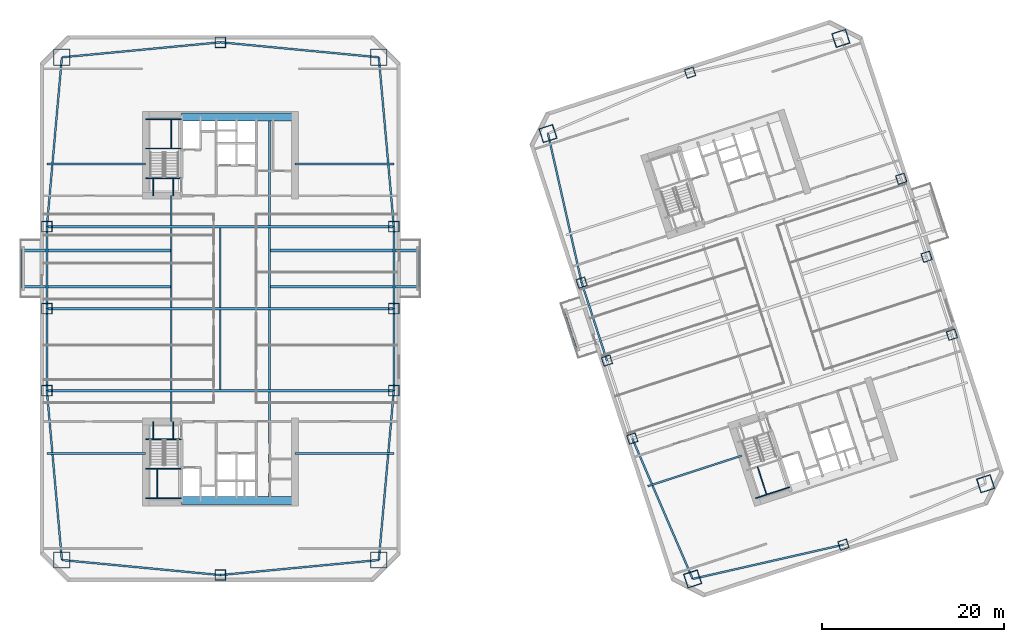
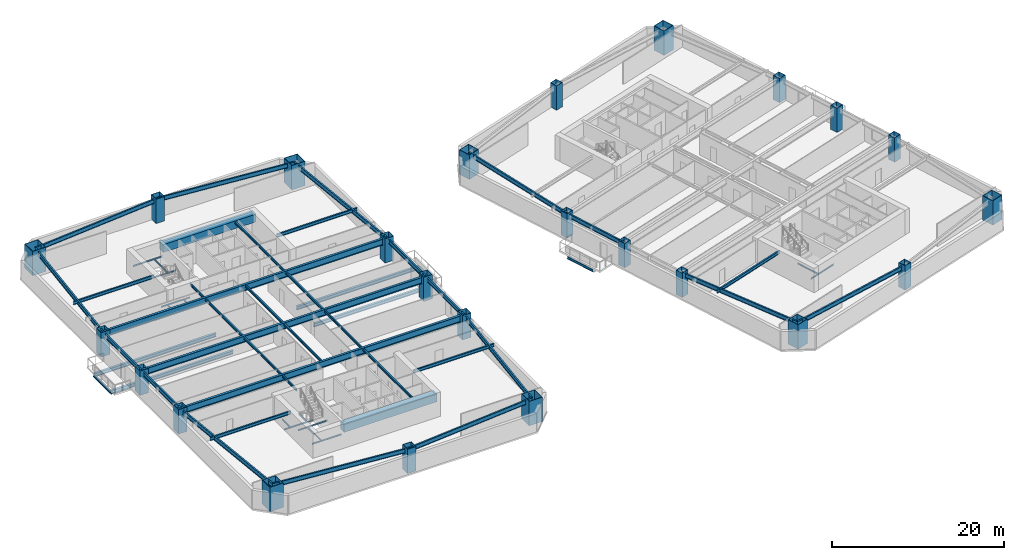
# One storey, part 1 of 15: 57 beams, 24 columns.
"""IFC4 building model written with IfcOpenShell, lengths in metres."""

from ifc_helpers import new_model, si_unit, direction, frame, origin, origin_2d, place, context, subcontext, project, spatial, rectangle, hollow_rectangle, i_section, extrude, material, material_profile, profile_set, type_object, element, save


model = new_model("IFC4")

# Units and contexts
model_context = context("Model", 3, precision=1e-05, world=origin(), true_north=direction((0.0, 1.0)))
body_context = subcontext(model_context, "Body", "Model", "MODEL_VIEW")
ifc_project = project(units=[si_unit("LENGTHUNIT", "METRE"), si_unit("AREAUNIT", "SQUARE_METRE"), si_unit("VOLUMEUNIT", "CUBIC_METRE"), si_unit("PLANEANGLEUNIT", "RADIAN"), si_unit("MASSUNIT", "GRAM", prefix="KILO")], contexts=[model_context])

# Site, building, storey
site_placement = place(None, origin())
site = spatial("IfcSite", under=ifc_project, at=site_placement, CompositionType="ELEMENT")
building_placement = place(site_placement, origin())
building = spatial("IfcBuilding", under=site, at=building_placement, Name="Qiaolan Cultural Towers", CompositionType="ELEMENT")
storey_placement = place(building_placement, frame((0.0, 0.0, 50.60009765625)))
storey = spatial("IfcBuildingStorey", under=building, at=storey_placement, Name="L11", CompositionType="ELEMENT", Elevation=50.60009765625)

# Columns
ifc_material_1 = material(Name="Steel Q355B", Category="steel")
ifc_material_profile_1 = material_profile(ifc_material_1, hollow_rectangle(XDim=1.0, YDim=1.0, WallThickness=0.035888671875, at=origin_2d()), Name="BOX1000x1000x36")
ifc_profile_set_1 = profile_set([ifc_material_profile_1], Name="Steel Q355B")
column_type_1 = type_object("IfcColumnType", Name="COL-BOX1000x1000x36", PredefinedType="COLUMN", material=ifc_profile_set_1)
for number, where, z_axis, x_axis, name in (
    (1, (75.234130859375, 19.739013671875, 0.0), (0.0, 0.0, 1.0), (0.951056516295, 0.309016994375, 0.0), "L11 T2 Perimeter Column PC-W1"),
    (2, (72.453125, 28.298583984375, 0.0), (0.0, 0.0, 1.0), (0.951056516295, 0.309016994375, 0.0), "L11 T2 Perimeter Column PC-W2"),
    (3, (69.671875, 36.858154296875, 0.0), (0.0, 0.0, 1.0), (0.951056516295, 0.309016994375, 0.0), "L11 T2 Perimeter Column PC-W3"),
    (4, (110.328125, 31.141845703125, 0.0), (0.0, 0.0, 1.0), (0.951056516295, 0.309016994375, 0.0), "L11 T2 Perimeter Column PC-E1"),
    (5, (107.546875, 39.701416015625, 0.0), (0.0, 0.0, 1.0), (0.951056516295, 0.309016994375, 0.0), "L11 T2 Perimeter Column PC-E2"),
    (6, (104.765869140625, 48.260986328125, 0.0), (0.0, 0.0, 1.0), (0.951056516295, 0.309016994375, 0.0), "L11 T2 Perimeter Column PC-E3"),
    (7, (98.420654296875, 8.083740234375, 0.0), (0.0, 0.0, 1.0), (0.951056516295, 0.309016994375, 0.0), "L11 T2 Perimeter Column PC-S0"),
    (8, (81.579345703125, 59.916259765625, 0.0), (0.0, 0.0, 1.0), (0.951056516295, 0.309016994375, 0.0), "L11 T2 Perimeter Column PC-N0"),
):
    element("IfcColumn", number, at=place(storey_placement, frame(where, z_axis=z_axis, x_axis=x_axis)), inside=storey, type_object=column_type_1, Name=name, PredefinedType="COLUMN", context=body_context, shape_type="SweptSolid", body=[
        extrude(hollow_rectangle(XDim=1.0, YDim=1.0, WallThickness=0.035888671875, at=origin_2d()), origin(), (0.0, 0.0, 1.0), 3.450927734375),
    ])
ifc_material_2 = material(Name="Steel Q390GJB", Category="steel")
ifc_material_profile_2 = material_profile(ifc_material_2, hollow_rectangle(XDim=1.14990234375, YDim=1.14990234375, WallThickness=0.0400390625, at=origin_2d()), Name="BOX1150x1150x40")
ifc_profile_set_2 = profile_set([ifc_material_profile_2], Name="Steel Q390GJB")
column_type_2 = type_object("IfcColumnType", Name="COL-BOX1150x1150x40", PredefinedType="COLUMN", material=ifc_profile_set_2)
for number, where, z_axis, x_axis, name in (
    (9, (10.949951171875, 25.0, 0.0), (0.0, 0.0, 1.0), (1.0, 0.0, 0.0), "L11 T1 Perimeter Column PC-W1"),
    (10, (10.949951171875, 34.0, 0.0), (0.0, 0.0, 1.0), (1.0, 0.0, 0.0), "L11 T1 Perimeter Column PC-W2"),
    (11, (10.949951171875, 43.0, 0.0), (0.0, 0.0, 1.0), (1.0, 0.0, 0.0), "L11 T1 Perimeter Column PC-W3"),
    (12, (49.050048828125, 25.0, 0.0), (0.0, 0.0, 1.0), (1.0, 0.0, 0.0), "L11 T1 Perimeter Column PC-E1"),
    (13, (49.050048828125, 34.0, 0.0), (0.0, 0.0, 1.0), (1.0, 0.0, 0.0), "L11 T1 Perimeter Column PC-E2"),
    (14, (49.050048828125, 43.0, 0.0), (0.0, 0.0, 1.0), (1.0, 0.0, 0.0), "L11 T1 Perimeter Column PC-E3"),
    (15, (30.0, 4.75, 0.0), (0.0, 0.0, 1.0), (1.0, 0.0, 0.0), "L11 T1 Perimeter Column PC-S0"),
    (16, (30.0, 63.25, 0.0), (0.0, 0.0, 1.0), (1.0, 0.0, 0.0), "L11 T1 Perimeter Column PC-N0"),
):
    element("IfcColumn", number, at=place(storey_placement, frame(where, z_axis=z_axis, x_axis=x_axis)), inside=storey, type_object=column_type_2, Name=name, PredefinedType="COLUMN", context=body_context, shape_type="SweptSolid", body=[
        extrude(hollow_rectangle(XDim=1.14990234375, YDim=1.14990234375, WallThickness=0.0400390625, at=origin_2d()), origin(), (0.0, 0.0, 1.0), 3.450927734375),
    ])
ifc_material_3 = material(Name="Steel Q420GJB", Category="steel")
ifc_material_profile_3 = material_profile(ifc_material_3, hollow_rectangle(XDim=1.60009765625, YDim=1.60009765625, WallThickness=0.054931640625, at=origin_2d()), Name="BOX1600x1600x55")
ifc_profile_set_3 = profile_set([ifc_material_profile_3], Name="Steel Q420GJB")
column_type_3 = type_object("IfcColumnType", Name="COL-BOX1600x1600x55", PredefinedType="COLUMN", material=ifc_profile_set_3)
for number, where, z_axis, x_axis, name in (
    (17, (81.862548828125, 4.32275390625, 0.0), (0.0, 0.0, 1.0), (0.951056516295, 0.309016994375, 0.0), "L11 T2 Perimeter Column MC-SW"),
    (18, (114.027099609375, 14.77392578125, 0.0), (0.0, 0.0, 1.0), (0.951056516295, 0.309016994375, 0.0), "L11 T2 Perimeter Column MC-SE"),
    (19, (98.137451171875, 63.67724609375, 0.0), (0.0, 0.0, 1.0), (0.951056516295, 0.309016994375, 0.0), "L11 T2 Perimeter Column MC-NE"),
    (20, (65.972900390625, 53.22607421875, 0.0), (0.0, 0.0, 1.0), (0.951056516295, 0.309016994375, 0.0), "L11 T2 Perimeter Column MC-NW"),
):
    element("IfcColumn", number, at=place(storey_placement, frame(where, z_axis=z_axis, x_axis=x_axis)), inside=storey, type_object=column_type_3, Name=name, PredefinedType="COLUMN", context=body_context, shape_type="SweptSolid", body=[
        extrude(hollow_rectangle(XDim=1.60009765625, YDim=1.60009765625, WallThickness=0.054931640625, at=origin_2d()), origin(), (0.0, 0.0, 1.0), 3.450927734375),
    ])
ifc_material_4 = material(Name="Steel Q420GJB", Category="steel")
ifc_material_profile_4 = material_profile(ifc_material_4, hollow_rectangle(XDim=1.800048828125, YDim=1.800048828125, WallThickness=0.06005859375, at=origin_2d()), Name="BOX1800x1800x60")
ifc_profile_set_4 = profile_set([ifc_material_profile_4], Name="Steel Q420GJB")
column_type_4 = type_object("IfcColumnType", Name="COL-BOX1800x1800x60", PredefinedType="COLUMN", material=ifc_profile_set_4)
for number, where, z_axis, x_axis, name in (
    (21, (12.60009765625, 6.39990234375, 0.0), (0.0, 0.0, 1.0), (1.0, 0.0, 0.0), "L11 T1 Perimeter Column MC-SW"),
    (22, (47.39990234375, 6.39990234375, 0.0), (0.0, 0.0, 1.0), (1.0, 0.0, 0.0), "L11 T1 Perimeter Column MC-SE"),
    (23, (47.39990234375, 61.60009765625, 0.0), (0.0, 0.0, 1.0), (1.0, 0.0, 0.0), "L11 T1 Perimeter Column MC-NE"),
    (24, (12.60009765625, 61.60009765625, 0.0), (0.0, 0.0, 1.0), (1.0, 0.0, 0.0), "L11 T1 Perimeter Column MC-NW"),
):
    element("IfcColumn", number, at=place(storey_placement, frame(where, z_axis=z_axis, x_axis=x_axis)), inside=storey, type_object=column_type_4, Name=name, PredefinedType="COLUMN", context=body_context, shape_type="SweptSolid", body=[
        extrude(hollow_rectangle(XDim=1.800048828125, YDim=1.800048828125, WallThickness=0.06005859375, at=origin_2d()), origin(), (0.0, 0.0, 1.0), 3.450927734375),
    ])

# Beams
ifc_material_5 = material(Name="Steel Q355B", Category="steel")
ifc_material_profile_5 = material_profile(ifc_material_5, i_section(OverallWidth=0.300048828125, OverallDepth=0.488037109375, WebThickness=0.010986328125, FlangeThickness=0.01806640625, at=origin_2d()), Name="HM488x300x11x18")
ifc_profile_set_5 = profile_set([ifc_material_profile_5], Name="Steel Q355B")
beam_type_1 = type_object("IfcBeamType", Name="BM-HM488x300x11x18", PredefinedType="BEAM", material=ifc_profile_set_5)
for number, where, z_axis, x_axis, name in (
    (25, (24.60009765625, 36.39990234375, -0.524169921875), (-1.0, 0.0, 0.0), (0.0, -1.0, 0.0), "L11 T1 Tree Balcony Back-Spanned Bracket Beam"),
    (26, (24.60009765625, 40.39990234375, -0.524169921875), (-1.0, 0.0, 0.0), (0.0, -1.0, 0.0), "L11 T1 Tree Balcony Back-Spanned Bracket Beam"),
    (27, (35.39990234375, 36.39990234375, -0.524169921875), (1.0, 0.0, 0.0), (0.0, 1.0, 0.0), "L11 T1 Tree Balcony Back-Spanned Bracket Beam"),
    (28, (35.39990234375, 40.39990234375, -0.524169921875), (1.0, 0.0, 0.0), (0.0, 1.0, 0.0), "L11 T1 Tree Balcony Back-Spanned Bracket Beam"),
):
    element("IfcBeam", number, at=place(storey_placement, frame(where, z_axis=z_axis, x_axis=x_axis)), inside=storey, type_object=beam_type_1, Name=name, PredefinedType="BEAM", context=body_context, shape_type="SweptSolid", body=[
        extrude(i_section(OverallWidth=0.300048828125, OverallDepth=0.488037109375, WebThickness=0.010986328125, FlangeThickness=0.01806640625, at=origin_2d()), origin(), (0.0, 0.0, 1.0), 16.4501953125),
    ])
ifc_material_6 = material(Name="Steel Q355B", Category="steel")
ifc_material_profile_6 = material_profile(ifc_material_6, i_section(OverallWidth=0.300048828125, OverallDepth=0.89990234375, WebThickness=0.01611328125, FlangeThickness=0.028076171875, at=origin_2d()), Name="HN900x300x16x28")
ifc_profile_set_6 = profile_set([ifc_material_profile_6], Name="Steel Q355B")
beam_type_2 = type_object("IfcBeamType", Name="BM-HN900x300x16x28", PredefinedType="BEAM", material=ifc_profile_set_6)
for number, where, z_axis, x_axis, name in (
    (29, (10.949951171875, 25.0, 2.739990234375), (1.0, 0.0, 0.0), (0.0, 1.0, 0.0), "L11 T1 Primary Transverse Girder V1"),
    (30, (10.949951171875, 34.0, 2.739990234375), (1.0, 0.0, 0.0), (0.0, 1.0, 0.0), "L11 T1 Primary Transverse Girder V2"),
    (31, (10.949951171875, 43.0, 2.739990234375), (1.0, 0.0, 0.0), (0.0, 1.0, 0.0), "L11 T1 Primary Transverse Girder V3"),
):
    element("IfcBeam", number, at=place(storey_placement, frame(where, z_axis=z_axis, x_axis=x_axis)), inside=storey, type_object=beam_type_2, Name=name, PredefinedType="BEAM", context=body_context, shape_type="SweptSolid", body=[
        extrude(i_section(OverallWidth=0.300048828125, OverallDepth=0.89990234375, WebThickness=0.01611328125, FlangeThickness=0.028076171875, at=origin_2d()), origin(), (0.0, 0.0, 1.0), 38.10009765625),
    ])
ifc_material_7 = material(Name="Steel Q355B", Category="steel")
ifc_material_profile_7 = material_profile(ifc_material_7, i_section(OverallWidth=0.175048828125, OverallDepth=0.35009765625, WebThickness=0.007080078125, FlangeThickness=0.010986328125, at=origin_2d()), Name="HN350x175x7x11")
ifc_profile_set_7 = profile_set([ifc_material_profile_7], Name="Steel Q355B")
beam_type_3 = type_object("IfcBeamType", Name="BM-JST-HN350x175x7x11", PredefinedType="JOIST", material=ifc_profile_set_7)
for number, where, z_axis, x_axis, name in (
    (32, (8.14990234375, 36.39990234375, -0.524169921875), (0.0, 1.0, 0.0), (-1.0, 0.0, 0.0), "L11 T1 Tree Balcony Outer Edge Beam"),
    (33, (51.85009765625, 36.39990234375, -0.524169921875), (0.0, 1.0, 0.0), (-1.0, 0.0, 0.0), "L11 T1 Tree Balcony Outer Edge Beam"),
):
    element("IfcBeam", number, at=place(storey_placement, frame(where, z_axis=z_axis, x_axis=x_axis)), inside=storey, type_object=beam_type_3, Name=name, PredefinedType="JOIST", context=body_context, shape_type="SweptSolid", body=[
        extrude(i_section(OverallWidth=0.175048828125, OverallDepth=0.35009765625, WebThickness=0.007080078125, FlangeThickness=0.010986328125, at=origin_2d()), origin(), (0.0, 0.0, 1.0), 4.0),
    ])
beam_1_placement = place(storey_placement, frame((69.04833984375, 29.7158203125, -0.524169921875), z_axis=(-0.3090046493, 0.951060527364, 0.0), x_axis=(-0.951060527364, -0.3090046493, 0.0)))
element("IfcBeam", 34, at=beam_1_placement, inside=storey, type_object=beam_type_3, Name="L11 T2 Tree Balcony Outer Edge Beam", PredefinedType="JOIST", context=body_context, shape_type="SweptSolid", body=[
    extrude(i_section(OverallWidth=0.175048828125, OverallDepth=0.35009765625, WebThickness=0.007080078125, FlangeThickness=0.010986328125, at=origin_2d()), origin(), (0.0, 0.0, 1.0), 4.000244140625),
])
beam_2_placement = place(storey_placement, frame((24.60009765625, 21.60009765625, 3.014892578125), z_axis=(0.0, 1.0, 0.0), x_axis=(-1.0, 0.0, 0.0)))
element("IfcBeam", 35, at=beam_2_placement, inside=storey, type_object=beam_type_3, Name="L11 T1 Secondary Floor Joist U1-1", PredefinedType="JOIST", context=body_context, shape_type="SweptSolid", body=[
    extrude(i_section(OverallWidth=0.175048828125, OverallDepth=0.35009765625, WebThickness=0.007080078125, FlangeThickness=0.010986328125, at=origin_2d()), origin(), (0.0, 0.0, 1.0), 3.25),
])
for number, where, z_axis, x_axis, name in (
    (36, (24.60009765625, 25.14990234375, 3.014892578125), (0.0, 1.0, 0.0), (-1.0, 0.0, 0.0), "L11 T1 Secondary Floor Joist U1-2"),
    (37, (24.60009765625, 34.14990234375, 3.014892578125), (0.0, 1.0, 0.0), (-1.0, 0.0, 0.0), "L11 T1 Secondary Floor Joist U1-3"),
):
    element("IfcBeam", number, at=place(storey_placement, frame(where, z_axis=z_axis, x_axis=x_axis)), inside=storey, type_object=beam_type_3, Name=name, PredefinedType="JOIST", context=body_context, shape_type="SweptSolid", body=[
        extrude(i_section(OverallWidth=0.175048828125, OverallDepth=0.35009765625, WebThickness=0.007080078125, FlangeThickness=0.010986328125, at=origin_2d()), origin(), (0.0, 0.0, 1.0), 8.7001953125),
    ])
beam_3_placement = place(storey_placement, frame((24.60009765625, 43.14990234375, 3.014892578125), z_axis=(0.0, 1.0, 0.0), x_axis=(-1.0, 0.0, 0.0)))
element("IfcBeam", 38, at=beam_3_placement, inside=storey, type_object=beam_type_3, Name="L11 T1 Secondary Floor Joist U1-4", PredefinedType="JOIST", context=body_context, shape_type="SweptSolid", body=[
    extrude(i_section(OverallWidth=0.175048828125, OverallDepth=0.35009765625, WebThickness=0.007080078125, FlangeThickness=0.010986328125, at=origin_2d()), origin(), (0.0, 0.0, 1.0), 3.25),
])
for number, where, z_axis, x_axis, name in (
    (39, (30.0, 25.14990234375, 3.014892578125), (0.0, 1.0, 0.0), (-1.0, 0.0, 0.0), "L11 T1 Secondary Floor Joist U2-2"),
    (40, (30.0, 34.14990234375, 3.014892578125), (0.0, 1.0, 0.0), (-1.0, 0.0, 0.0), "L11 T1 Secondary Floor Joist U2-3"),
):
    element("IfcBeam", number, at=place(storey_placement, frame(where, z_axis=z_axis, x_axis=x_axis)), inside=storey, type_object=beam_type_3, Name=name, PredefinedType="JOIST", context=body_context, shape_type="SweptSolid", body=[
        extrude(i_section(OverallWidth=0.175048828125, OverallDepth=0.35009765625, WebThickness=0.007080078125, FlangeThickness=0.010986328125, at=origin_2d()), origin(), (0.0, 0.0, 1.0), 8.7001953125),
    ])
beam_4_placement = place(storey_placement, frame((35.39990234375, 13.39990234375, 3.014892578125), z_axis=(0.0, 1.0, 0.0), x_axis=(-1.0, 0.0, 0.0)))
element("IfcBeam", 41, at=beam_4_placement, inside=storey, type_object=beam_type_3, Name="L11 T1 Secondary Floor Joist U3-1", PredefinedType="JOIST", context=body_context, shape_type="SweptSolid", body=[
    extrude(i_section(OverallWidth=0.175048828125, OverallDepth=0.35009765625, WebThickness=0.007080078125, FlangeThickness=0.010986328125, at=origin_2d()), origin(), (0.0, 0.0, 1.0), 11.4501953125),
])
for number, where, z_axis, x_axis, name in (
    (42, (35.39990234375, 25.14990234375, 3.014892578125), (0.0, 1.0, 0.0), (-1.0, 0.0, 0.0), "L11 T1 Secondary Floor Joist U3-2"),
    (43, (35.39990234375, 34.14990234375, 3.014892578125), (0.0, 1.0, 0.0), (-1.0, 0.0, 0.0), "L11 T1 Secondary Floor Joist U3-3"),
):
    element("IfcBeam", number, at=place(storey_placement, frame(where, z_axis=z_axis, x_axis=x_axis)), inside=storey, type_object=beam_type_3, Name=name, PredefinedType="JOIST", context=body_context, shape_type="SweptSolid", body=[
        extrude(i_section(OverallWidth=0.175048828125, OverallDepth=0.35009765625, WebThickness=0.007080078125, FlangeThickness=0.010986328125, at=origin_2d()), origin(), (0.0, 0.0, 1.0), 8.7001953125),
    ])
beam_5_placement = place(storey_placement, frame((35.39990234375, 43.14990234375, 3.014892578125), z_axis=(0.0, 1.0, 0.0), x_axis=(-1.0, 0.0, 0.0)))
element("IfcBeam", 44, at=beam_5_placement, inside=storey, type_object=beam_type_3, Name="L11 T1 Secondary Floor Joist U3-4", PredefinedType="JOIST", context=body_context, shape_type="SweptSolid", body=[
    extrude(i_section(OverallWidth=0.175048828125, OverallDepth=0.35009765625, WebThickness=0.007080078125, FlangeThickness=0.010986328125, at=origin_2d()), origin(), (0.0, 0.0, 1.0), 11.4501953125),
])
ifc_material_8 = material(Name="Steel Q355B", Category="steel")
ifc_material_profile_8 = material_profile(ifc_material_8, i_section(OverallWidth=0.199951171875, OverallDepth=0.449951171875, WebThickness=0.009033203125, FlangeThickness=0.013916015625, at=origin_2d()), Name="HN450x200x9x14")
ifc_profile_set_8 = profile_set([ifc_material_profile_8], Name="Steel Q355B")
beam_type_4 = type_object("IfcBeamType", Name="BM-LNT-HN450x200x9x14", PredefinedType="LINTEL", material=ifc_profile_set_8)
for number, where, z_axis, x_axis, name in (
    (45, (21.800048828125, 18.10009765625, 2.96484375), (-1.0, 0.0, 0.0), (0.0, -1.0, 0.0), "L11 T1 Core Flank Tie Lintel WS"),
    (46, (21.800048828125, 49.89990234375, 2.96484375), (-1.0, 0.0, 0.0), (0.0, -1.0, 0.0), "L11 T1 Core Flank Tie Lintel WN"),
    (47, (38.199951171875, 18.10009765625, 2.96484375), (1.0, 0.0, 0.0), (0.0, 1.0, 0.0), "L11 T1 Core Flank Tie Lintel ES"),
    (48, (38.199951171875, 49.89990234375, 2.96484375), (1.0, 0.0, 0.0), (0.0, 1.0, 0.0), "L11 T1 Core Flank Tie Lintel EN"),
):
    element("IfcBeam", number, at=place(storey_placement, frame(where, z_axis=z_axis, x_axis=x_axis)), inside=storey, type_object=beam_type_4, Name=name, PredefinedType="LINTEL", context=body_context, shape_type="SweptSolid", body=[
        extrude(i_section(OverallWidth=0.199951171875, OverallDepth=0.449951171875, WebThickness=0.009033203125, FlangeThickness=0.013916015625, at=origin_2d()), origin(), (0.0, 0.0, 1.0), 10.85009765625),
    ])
beam_6_placement = place(storey_placement, frame((87.252685546875, 17.861083984375, 2.96484375), z_axis=(-0.95105688584, -0.30901585703, 0.0), x_axis=(0.30901585703, -0.95105688584, 0.0)))
element("IfcBeam", 49, at=beam_6_placement, inside=storey, type_object=beam_type_4, Name="L11 T2 Core Flank Tie Lintel WS", PredefinedType="LINTEL", context=body_context, shape_type="SweptSolid", body=[
    extrude(i_section(OverallWidth=0.199951171875, OverallDepth=0.449951171875, WebThickness=0.009033203125, FlangeThickness=0.013916015625, at=origin_2d()), origin(), (0.0, 0.0, 1.0), 10.849853515625),
])
ifc_material_9 = material(Name="Concrete C50", Category="concrete")
ifc_material_profile_9 = material_profile(ifc_material_9, rectangle(XDim=0.89990234375, YDim=1.10009765625, at=origin_2d()), Name="RC900x1100")
ifc_profile_set_9 = profile_set([ifc_material_profile_9], Name="Concrete C50")
beam_type_5 = type_object("IfcBeamType", Name="BM-RC900x1100", PredefinedType="BEAM", material=ifc_profile_set_9)
for number, where, z_axis, x_axis, name in (
    (50, (25.719970703125, 12.949951171875, 2.639892578125), (1.0, 0.0, 0.0), (0.0, 1.0, 0.0), "L11 T1 Core Header Girder S"),
    (51, (25.719970703125, 55.050048828125, 2.639892578125), (1.0, 0.0, 0.0), (0.0, 1.0, 0.0), "L11 T1 Core Header Girder N"),
):
    element("IfcBeam", number, at=place(storey_placement, frame(where, z_axis=z_axis, x_axis=x_axis)), inside=storey, type_object=beam_type_5, Name=name, PredefinedType="BEAM", context=body_context, shape_type="SweptSolid", body=[
        extrude(rectangle(XDim=0.89990234375, YDim=1.10009765625, at=origin_2d()), origin(), (0.0, 0.0, 1.0), 12.47998046875),
    ])
ifc_material_10 = material(Name="Steel Q355B", Category="steel")
ifc_material_profile_10 = material_profile(ifc_material_10, i_section(OverallWidth=0.199951171875, OverallDepth=0.60009765625, WebThickness=0.010986328125, FlangeThickness=0.01708984375, at=origin_2d()), Name="HN600x200x11x17")
ifc_profile_set_10 = profile_set([ifc_material_profile_10], Name="Steel Q355B")
beam_type_6 = type_object("IfcBeamType", Name="BM-SPD-HN600x200x11x17", PredefinedType="SPANDREL", material=ifc_profile_set_10)
for number, where, z_axis, x_axis, name in (
    (52, (12.60009765625, 6.39990234375, 2.889892578125), (0.995534437156, -0.094399070104, 0.0), (0.094399070104, 0.995534437156, 0.0), "L11 T1 Perimeter Spandrel Beam 1"),
    (53, (30.0, 4.75, 2.889892578125), (0.995534437156, 0.094399070104, 0.0), (-0.094399070104, 0.995534437156, 0.0), "L11 T1 Perimeter Spandrel Beam 2"),
):
    element("IfcBeam", number, at=place(storey_placement, frame(where, z_axis=z_axis, x_axis=x_axis)), inside=storey, type_object=beam_type_6, Name=name, PredefinedType="SPANDREL", context=body_context, shape_type="SweptSolid", body=[
        extrude(i_section(OverallWidth=0.199951171875, OverallDepth=0.60009765625, WebThickness=0.010986328125, FlangeThickness=0.01708984375, at=origin_2d()), origin(), (0.0, 0.0, 1.0), 17.47802734375),
    ])
beam_7_placement = place(storey_placement, frame((47.39990234375, 6.39990234375, 2.889892578125), z_axis=(0.08837000091, 0.996087718496, 0.0), x_axis=(-0.996087718496, 0.08837000091, 0.0)))
element("IfcBeam", 54, at=beam_7_placement, inside=storey, type_object=beam_type_6, Name="L11 T1 Perimeter Spandrel Beam 3", PredefinedType="SPANDREL", context=body_context, shape_type="SweptSolid", body=[
    extrude(i_section(OverallWidth=0.199951171875, OverallDepth=0.60009765625, WebThickness=0.010986328125, FlangeThickness=0.01708984375, at=origin_2d()), origin(), (0.0, 0.0, 1.0), 18.673095703125),
])
for number, where, z_axis, x_axis, name in (
    (55, (49.050048828125, 25.0, 2.889892578125), (0.0, 1.0, 0.0), (-1.0, 0.0, 0.0), "L11 T1 Perimeter Spandrel Beam 4"),
    (56, (49.050048828125, 34.0, 2.889892578125), (0.0, 1.0, 0.0), (-1.0, 0.0, 0.0), "L11 T1 Perimeter Spandrel Beam 5"),
):
    element("IfcBeam", number, at=place(storey_placement, frame(where, z_axis=z_axis, x_axis=x_axis)), inside=storey, type_object=beam_type_6, Name=name, PredefinedType="SPANDREL", context=body_context, shape_type="SweptSolid", body=[
        extrude(i_section(OverallWidth=0.199951171875, OverallDepth=0.60009765625, WebThickness=0.010986328125, FlangeThickness=0.01708984375, at=origin_2d()), origin(), (0.0, 0.0, 1.0), 9.0),
    ])
beam_8_placement = place(storey_placement, frame((49.050048828125, 43.0, 2.889892578125), z_axis=(-0.08837000091, 0.996087718496, 0.0), x_axis=(-0.996087718496, -0.08837000091, 0.0)))
element("IfcBeam", 57, at=beam_8_placement, inside=storey, type_object=beam_type_6, Name="L11 T1 Perimeter Spandrel Beam 6", PredefinedType="SPANDREL", context=body_context, shape_type="SweptSolid", body=[
    extrude(i_section(OverallWidth=0.199951171875, OverallDepth=0.60009765625, WebThickness=0.010986328125, FlangeThickness=0.01708984375, at=origin_2d()), origin(), (0.0, 0.0, 1.0), 18.673095703125),
])
for number, where, z_axis, x_axis, name in (
    (58, (47.39990234375, 61.60009765625, 2.889892578125), (-0.995534437156, 0.094399070104, 0.0), (-0.094399070104, -0.995534437156, 0.0), "L11 T1 Perimeter Spandrel Beam 7"),
    (59, (30.0, 63.25, 2.889892578125), (-0.995534437156, -0.094399070104, 0.0), (0.094399070104, -0.995534437156, 0.0), "L11 T1 Perimeter Spandrel Beam 8"),
):
    element("IfcBeam", number, at=place(storey_placement, frame(where, z_axis=z_axis, x_axis=x_axis)), inside=storey, type_object=beam_type_6, Name=name, PredefinedType="SPANDREL", context=body_context, shape_type="SweptSolid", body=[
        extrude(i_section(OverallWidth=0.199951171875, OverallDepth=0.60009765625, WebThickness=0.010986328125, FlangeThickness=0.01708984375, at=origin_2d()), origin(), (0.0, 0.0, 1.0), 17.47802734375),
    ])
beam_9_placement = place(storey_placement, frame((12.60009765625, 61.60009765625, 2.889892578125), z_axis=(-0.08837000091, -0.996087718496, 0.0), x_axis=(0.996087718496, -0.08837000091, 0.0)))
element("IfcBeam", 60, at=beam_9_placement, inside=storey, type_object=beam_type_6, Name="L11 T1 Perimeter Spandrel Beam 9", PredefinedType="SPANDREL", context=body_context, shape_type="SweptSolid", body=[
    extrude(i_section(OverallWidth=0.199951171875, OverallDepth=0.60009765625, WebThickness=0.010986328125, FlangeThickness=0.01708984375, at=origin_2d()), origin(), (0.0, 0.0, 1.0), 18.673095703125),
])
for number, where, z_axis, x_axis, name in (
    (61, (10.949951171875, 43.0, 2.889892578125), (0.0, -1.0, 0.0), (1.0, 0.0, 0.0), "L11 T1 Perimeter Spandrel Beam 10"),
    (62, (10.949951171875, 34.0, 2.889892578125), (0.0, -1.0, 0.0), (1.0, 0.0, 0.0), "L11 T1 Perimeter Spandrel Beam 11"),
):
    element("IfcBeam", number, at=place(storey_placement, frame(where, z_axis=z_axis, x_axis=x_axis)), inside=storey, type_object=beam_type_6, Name=name, PredefinedType="SPANDREL", context=body_context, shape_type="SweptSolid", body=[
        extrude(i_section(OverallWidth=0.199951171875, OverallDepth=0.60009765625, WebThickness=0.010986328125, FlangeThickness=0.01708984375, at=origin_2d()), origin(), (0.0, 0.0, 1.0), 9.0),
    ])
beam_10_placement = place(storey_placement, frame((10.949951171875, 25.0, 2.889892578125), z_axis=(0.08837000091, -0.996087718496, 0.0), x_axis=(0.996087718496, 0.08837000091, 0.0)))
element("IfcBeam", 63, at=beam_10_placement, inside=storey, type_object=beam_type_6, Name="L11 T1 Perimeter Spandrel Beam 12", PredefinedType="SPANDREL", context=body_context, shape_type="SweptSolid", body=[
    extrude(i_section(OverallWidth=0.199951171875, OverallDepth=0.60009765625, WebThickness=0.010986328125, FlangeThickness=0.01708984375, at=origin_2d()), origin(), (0.0, 0.0, 1.0), 18.673095703125),
])
beam_11_placement = place(storey_placement, frame((81.862548828125, 4.32275390625, 2.889892578125), z_axis=(0.975161095889, 0.221496810506, 0.0), x_axis=(-0.221496810506, 0.975161095889, 0.0)))
element("IfcBeam", 64, at=beam_11_placement, inside=storey, type_object=beam_type_6, Name="L11 T2 Perimeter Spandrel Beam 1", PredefinedType="SPANDREL", context=body_context, shape_type="SweptSolid", body=[
    extrude(i_section(OverallWidth=0.199951171875, OverallDepth=0.60009765625, WebThickness=0.010986328125, FlangeThickness=0.01708984375, at=origin_2d()), origin(), (0.0, 0.0, 1.0), 16.97998046875),
])
beam_12_placement = place(storey_placement, frame((65.972900390625, 53.22607421875, 2.889892578125), z_axis=(0.220430557386, -0.975402670373, 0.0), x_axis=(0.975402670373, 0.220430557386, 0.0)))
element("IfcBeam", 65, at=beam_12_placement, inside=storey, type_object=beam_type_6, Name="L11 T2 Perimeter Spandrel Beam 9", PredefinedType="SPANDREL", context=body_context, shape_type="SweptSolid", body=[
    extrude(i_section(OverallWidth=0.199951171875, OverallDepth=0.60009765625, WebThickness=0.010986328125, FlangeThickness=0.01708984375, at=origin_2d()), origin(), (0.0, 0.0, 1.0), 16.78076171875),
])
beam_13_placement = place(storey_placement, frame((69.671875, 36.858154296875, 2.889892578125), z_axis=(0.309024734286, -0.951054001411, 0.0), x_axis=(0.951054001411, 0.309024734286, 0.0)))
element("IfcBeam", 66, at=beam_13_placement, inside=storey, type_object=beam_type_6, Name="L11 T2 Perimeter Spandrel Beam 10", PredefinedType="SPANDREL", context=body_context, shape_type="SweptSolid", body=[
    extrude(i_section(OverallWidth=0.199951171875, OverallDepth=0.60009765625, WebThickness=0.010986328125, FlangeThickness=0.01708984375, at=origin_2d()), origin(), (0.0, 0.0, 1.0), 9.0),
])
beam_14_placement = place(storey_placement, frame((75.234130859375, 19.739013671875, 2.889892578125), z_axis=(0.394998896054, -0.918681594524, 0.0), x_axis=(0.918681594524, 0.394998896054, 0.0)))
element("IfcBeam", 67, at=beam_14_placement, inside=storey, type_object=beam_type_6, Name="L11 T2 Perimeter Spandrel Beam 12", PredefinedType="SPANDREL", context=body_context, shape_type="SweptSolid", body=[
    extrude(i_section(OverallWidth=0.199951171875, OverallDepth=0.60009765625, WebThickness=0.010986328125, FlangeThickness=0.01708984375, at=origin_2d()), origin(), (0.0, 0.0, 1.0), 16.78076171875),
])
ifc_material_11 = material(Name="Steel Q355B", Category="steel")
ifc_material_profile_11 = material_profile(ifc_material_11, i_section(OverallWidth=0.10009765625, OverallDepth=0.199951171875, WebThickness=0.005615234375, FlangeThickness=0.008056640625, at=origin_2d()), Name="HN200x100x5.5x8")
ifc_profile_set_11 = profile_set([ifc_material_profile_11], Name="Steel Q355B")
beam_type_7 = type_object("IfcBeamType", Name="BM-STTRIM-200", PredefinedType="BEAM", material=ifc_profile_set_11)
beam_15_placement = place(storey_placement, frame((21.800048828125, 19.659912109375, -0.460205078125), z_axis=(1.0, 0.0, 0.0), x_axis=(0.0, 1.0, 0.0)))
element("IfcBeam", 68, at=beam_15_placement, inside=storey, type_object=beam_type_7, Name="L11 ST-W1 Floor Landing Header Beam", PredefinedType="BEAM", context=body_context, shape_type="SweptSolid", body=[
    extrude(i_section(OverallWidth=0.10009765625, OverallDepth=0.199951171875, WebThickness=0.005615234375, FlangeThickness=0.008056640625, at=origin_2d()), origin(), (0.0, 0.0, 1.0), 3.919921875),
])
for number, where, z_axis, x_axis, name in (
    (69, (22.64990234375, 21.60009765625, -0.460205078125), (0.0, -1.0, 0.0), (1.0, 0.0, 0.0), "L11 ST-W1 Floor Landing Stringer 1"),
    (70, (24.85009765625, 21.60009765625, -0.460205078125), (0.0, -1.0, 0.0), (1.0, 0.0, 0.0), "L11 ST-W1 Floor Landing Stringer 2"),
):
    element("IfcBeam", number, at=place(storey_placement, frame(where, z_axis=z_axis, x_axis=x_axis)), inside=storey, type_object=beam_type_7, Name=name, PredefinedType="BEAM", context=body_context, shape_type="SweptSolid", body=[
        extrude(i_section(OverallWidth=0.10009765625, OverallDepth=0.199951171875, WebThickness=0.005615234375, FlangeThickness=0.008056640625, at=origin_2d()), origin(), (0.0, 0.0, 1.0), 1.940185546875),
    ])
for number, where, z_axis, x_axis, name in (
    (71, (21.800048828125, 16.411376953125, 1.4248046875), (1.0, 0.0, 0.0), (0.0, 1.0, 0.0), "L11 ST-W1 Stair Landing Support Beam 1-1"),
    (72, (21.800048828125, 13.179931640625, 1.4248046875), (1.0, 0.0, 0.0), (0.0, 1.0, 0.0), "L11 ST-W1 Stair Landing Support Beam 1-2"),
):
    element("IfcBeam", number, at=place(storey_placement, frame(where, z_axis=z_axis, x_axis=x_axis)), inside=storey, type_object=beam_type_7, Name=name, PredefinedType="BEAM", context=body_context, shape_type="SweptSolid", body=[
        extrude(i_section(OverallWidth=0.10009765625, OverallDepth=0.199951171875, WebThickness=0.005615234375, FlangeThickness=0.008056640625, at=origin_2d()), origin(), (0.0, 0.0, 1.0), 3.919921875),
    ])
beam_16_placement = place(storey_placement, frame((23.070068359375, 16.411376953125, 1.4248046875), z_axis=(0.0, -1.0, 0.0), x_axis=(1.0, 0.0, 0.0)))
element("IfcBeam", 73, at=beam_16_placement, inside=storey, type_object=beam_type_7, Name="L11 ST-W1 Stair Landing Trimmer 1", PredefinedType="BEAM", context=body_context, shape_type="SweptSolid", body=[
    extrude(i_section(OverallWidth=0.10009765625, OverallDepth=0.199951171875, WebThickness=0.005615234375, FlangeThickness=0.008056640625, at=origin_2d()), origin(), (0.0, 0.0, 1.0), 3.2314453125),
])
beam_17_placement = place(storey_placement, frame((21.800048828125, 48.340087890625, -0.460205078125), z_axis=(1.0, 0.0, 0.0), x_axis=(0.0, 1.0, 0.0)))
element("IfcBeam", 74, at=beam_17_placement, inside=storey, type_object=beam_type_7, Name="L11 ST-W2 Floor Landing Header Beam", PredefinedType="BEAM", context=body_context, shape_type="SweptSolid", body=[
    extrude(i_section(OverallWidth=0.10009765625, OverallDepth=0.199951171875, WebThickness=0.005615234375, FlangeThickness=0.008056640625, at=origin_2d()), origin(), (0.0, 0.0, 1.0), 3.919921875),
])
for number, where, z_axis, x_axis, name in (
    (75, (22.64990234375, 46.39990234375, -0.460205078125), (0.0, 1.0, 0.0), (-1.0, 0.0, 0.0), "L11 ST-W2 Floor Landing Stringer 1"),
    (76, (24.85009765625, 46.39990234375, -0.460205078125), (0.0, 1.0, 0.0), (-1.0, 0.0, 0.0), "L11 ST-W2 Floor Landing Stringer 2"),
):
    element("IfcBeam", number, at=place(storey_placement, frame(where, z_axis=z_axis, x_axis=x_axis)), inside=storey, type_object=beam_type_7, Name=name, PredefinedType="BEAM", context=body_context, shape_type="SweptSolid", body=[
        extrude(i_section(OverallWidth=0.10009765625, OverallDepth=0.199951171875, WebThickness=0.005615234375, FlangeThickness=0.008056640625, at=origin_2d()), origin(), (0.0, 0.0, 1.0), 1.940185546875),
    ])
for number, where, z_axis, x_axis, name in (
    (77, (21.800048828125, 51.588623046875, 1.4248046875), (1.0, 0.0, 0.0), (0.0, 1.0, 0.0), "L11 ST-W2 Stair Landing Support Beam 1-1"),
    (78, (21.800048828125, 54.820068359375, 1.4248046875), (1.0, 0.0, 0.0), (0.0, 1.0, 0.0), "L11 ST-W2 Stair Landing Support Beam 1-2"),
):
    element("IfcBeam", number, at=place(storey_placement, frame(where, z_axis=z_axis, x_axis=x_axis)), inside=storey, type_object=beam_type_7, Name=name, PredefinedType="BEAM", context=body_context, shape_type="SweptSolid", body=[
        extrude(i_section(OverallWidth=0.10009765625, OverallDepth=0.199951171875, WebThickness=0.005615234375, FlangeThickness=0.008056640625, at=origin_2d()), origin(), (0.0, 0.0, 1.0), 3.919921875),
    ])
beam_18_placement = place(storey_placement, frame((24.610107421875, 51.588623046875, 1.4248046875), z_axis=(0.0, 1.0, 0.0), x_axis=(-1.0, 0.0, 0.0)))
element("IfcBeam", 79, at=beam_18_placement, inside=storey, type_object=beam_type_7, Name="L11 ST-W2 Stair Landing Trimmer 1", PredefinedType="BEAM", context=body_context, shape_type="SweptSolid", body=[
    extrude(i_section(OverallWidth=0.10009765625, OverallDepth=0.199951171875, WebThickness=0.005615234375, FlangeThickness=0.008056640625, at=origin_2d()), origin(), (0.0, 0.0, 1.0), 3.2314453125),
])
beam_19_placement = place(storey_placement, frame((88.773193359375, 13.181884765625, 1.4248046875), z_axis=(0.951047798727, 0.309043823005, 0.0), x_axis=(-0.309043823005, 0.951047798727, 0.0)))
element("IfcBeam", 80, at=beam_19_placement, inside=storey, type_object=beam_type_7, Name="L11 ST-E1 Stair Landing Support Beam 1-2", PredefinedType="BEAM", context=body_context, shape_type="SweptSolid", body=[
    extrude(i_section(OverallWidth=0.10009765625, OverallDepth=0.199951171875, WebThickness=0.005615234375, FlangeThickness=0.008056640625, at=origin_2d()), origin(), (0.0, 0.0, 1.0), 3.919921875),
])
beam_20_placement = place(storey_placement, frame((88.982421875, 16.6474609375, 1.4248046875), z_axis=(0.309033108495, -0.951051280349, 0.0), x_axis=(0.951051280349, 0.309033108495, 0.0)))
element("IfcBeam", 81, at=beam_20_placement, inside=storey, type_object=beam_type_7, Name="L11 ST-E1 Stair Landing Trimmer 1", PredefinedType="BEAM", context=body_context, shape_type="SweptSolid", body=[
    extrude(i_section(OverallWidth=0.10009765625, OverallDepth=0.199951171875, WebThickness=0.005615234375, FlangeThickness=0.008056640625, at=origin_2d()), origin(), (0.0, 0.0, 1.0), 3.231201171875),
])

save(model, "model.ifc")
